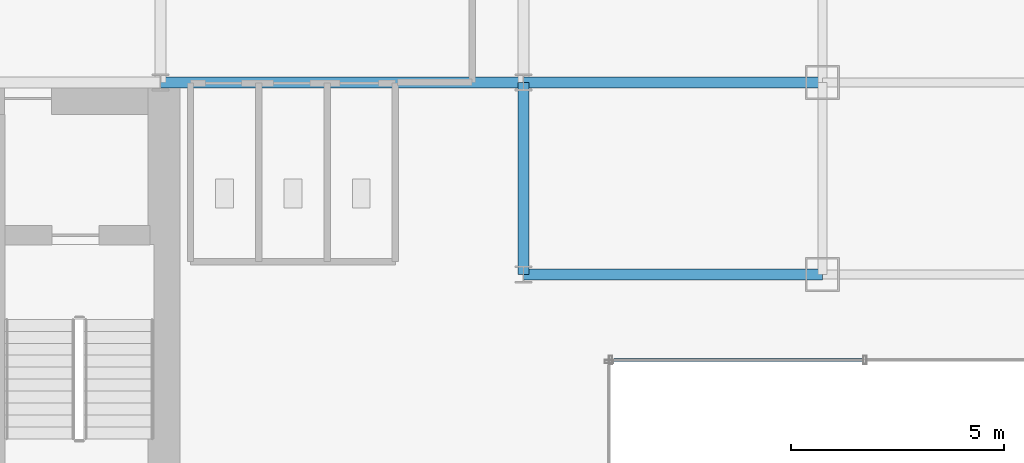
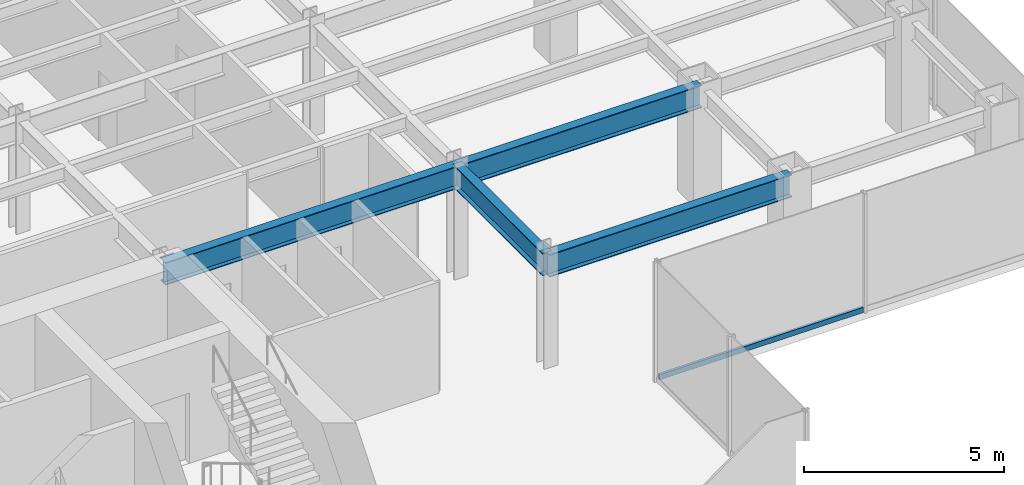
# One storey, part 9 of 26: 4 beams, 1 member, 1 element without a shape of its own.
"""IFC4 building model written with IfcOpenShell, lengths in metres."""

from ifc_helpers import new_model, si_unit, derived_unit, direction, frame, origin, origin_2d, place, context, subcontext, project, spatial, hollow_rectangle, i_section, extrude, source, transform, mapped, material, material_profile, profile_set, type_object, element, aggregate, save


model = new_model("IFC4")

# Units and contexts
model_context = context("Model", 3, precision=1e-05, world=origin(), true_north=direction((0.0, 1.0)))
body_context = subcontext(model_context, "Body", "Model", "MODEL_VIEW")
ifc_project = project(units=[si_unit("LENGTHUNIT", "METRE"), si_unit("AREAUNIT", "SQUARE_METRE"), si_unit("VOLUMEUNIT", "CUBIC_METRE"), si_unit("PLANEANGLEUNIT", "RADIAN"), si_unit("MASSUNIT", "GRAM", prefix="KILO"), derived_unit("THERMALTRANSMITTANCEUNIT", [(si_unit("POWERUNIT", "WATT"), 1), (si_unit("LENGTHUNIT", "METRE"), -2), (si_unit("THERMODYNAMICTEMPERATUREUNIT", "KELVIN"), -1)])], contexts=[model_context])

# Site, building, storey
site_placement = place(None, origin())
site = spatial("IfcSite", under=ifc_project, at=site_placement, CompositionType="ELEMENT")
building_placement = place(site_placement, origin())
building = spatial("IfcBuilding", under=site, at=building_placement, Name="Skarnbrae Concourse Arena and Tower", CompositionType="ELEMENT")
storey_placement = place(building_placement, frame((0.0, 0.0, 121.5)))
storey = spatial("IfcBuildingStorey", under=building, at=storey_placement, Name="L30", CompositionType="ELEMENT", Elevation=121.5)

# Beams
ifc_material_1 = material(Name="Steel CSA G40.21 350W", Category="steel")
ifc_material_profile_1 = material_profile(ifc_material_1, i_section(OverallWidth=0.256103515625, OverallDepth=0.693115234375, WebThickness=0.014404296875, FlangeThickness=0.023681640625, at=origin_2d()), Name="W690X170")
ifc_profile_set_1 = profile_set([ifc_material_profile_1], Name="Steel CSA G40.21 350W")
beam_type = type_object("IfcBeamType", Name="BM-GIRD-W690X170", PredefinedType="BEAM", material=ifc_profile_set_1)
shared_shape_1 = source(origin(), body_context, "Body", "SweptSolid", [
    extrude(i_section(OverallWidth=0.256103515625, OverallDepth=0.693115234375, WebThickness=0.014404296875, FlangeThickness=0.023681640625, at=origin_2d()), origin(), (0.0, 0.0, 1.0), 7.0),
])
for number, where, z_axis, x_axis, name in (
    (1, (42.0, 9.5, 3.053466796875), (1.0, 0.0, 0.0), (0.0, 1.0, 0.0), "L30 Primary E-W girder Y9.5-2"),
    (2, (42.0, 14.0, 3.053466796875), (1.0, 0.0, 0.0), (0.0, 1.0, 0.0), "L30 Primary E-W girder Y14.0-7"),
):
    element("IfcBeam", number, at=place(storey_placement, frame(where, z_axis=z_axis, x_axis=x_axis)), inside=storey, type_object=beam_type, Name=name, PredefinedType="BEAM", context=body_context, shape_type="MappedRepresentation", body=[
        mapped(shared_shape_1, transform((0.0, 0.0, 0.0))),
    ])
shared_shape_2 = source(origin(), body_context, "Body", "SweptSolid", [
    extrude(i_section(OverallWidth=0.256103515625, OverallDepth=0.693115234375, WebThickness=0.014404296875, FlangeThickness=0.023681640625, at=origin_2d()), origin(), (0.0, 0.0, 1.0), 8.5),
])
beam_1_placement = place(storey_placement, frame((33.5, 14.0, 3.053466796875), z_axis=(1.0, 0.0, 0.0), x_axis=(0.0, 1.0, 0.0)))
element("IfcBeam", 3, at=beam_1_placement, inside=storey, type_object=beam_type, Name="L30 Primary E-W girder Y14.0-6", PredefinedType="BEAM", context=body_context, shape_type="MappedRepresentation", body=[
    mapped(shared_shape_2, transform((0.0, 0.0, 0.0))),
])
shared_shape_3 = source(origin(), body_context, "Body", "SweptSolid", [
    extrude(i_section(OverallWidth=0.256103515625, OverallDepth=0.693115234375, WebThickness=0.014404296875, FlangeThickness=0.023681640625, at=origin_2d()), origin(), (0.0, 0.0, 1.0), 4.5),
])
beam_2_placement = place(storey_placement, frame((42.0, 9.5, 3.053466796875), z_axis=(0.0, 1.0, 0.0), x_axis=(-1.0, 0.0, 0.0)))
element("IfcBeam", 4, at=beam_2_placement, inside=storey, type_object=beam_type, Name="L30 Primary N-S girder X42.0-1", PredefinedType="BEAM", context=body_context, shape_type="MappedRepresentation", body=[
    mapped(shared_shape_3, transform((0.0, 0.0, 0.0))),
])

# Curtain wall, member
ifc_material_2 = material(Name="Bronze anodised aluminium 6063-T6", Category="aluminium")
curtain_wall_type = type_object("IfcCurtainWallType", Name="CW-SYS-04-MIDZONE", PredefinedType="USERDEFINED", material=ifc_material_2)
curtain_wall_placement = place(storey_placement, origin())
curtain_wall = element("IfcCurtainWall", 5, at=curtain_wall_placement, inside=storey, type_object=curtain_wall_type, Name="L30 Unitised curtain wall CW-L30-E03", ObjectType="UNITISED CURTAIN WALL", PredefinedType="USERDEFINED")
ifc_material_profile_2 = material_profile(ifc_material_2, hollow_rectangle(XDim=0.074951171875, YDim=0.159912109375, WallThickness=0.00439453125, at=origin_2d()), Name="ALU-TRAN-75X160")
ifc_profile_set_2 = profile_set([ifc_material_profile_2], Name="Bronze anodised aluminium 6063-T6")
member_type = type_object("IfcMemberType", Name="CWT-CW-04", PredefinedType="USERDEFINED", material=ifc_profile_set_2)
shared_shape_4 = source(origin(), body_context, "Body", "SweptSolid", [
    extrude(hollow_rectangle(XDim=0.074951171875, YDim=0.159912109375, WallThickness=0.00439453125, at=origin_2d()), origin(), (0.0, 0.0, 1.0), 5.887451171875),
])
member_placement = place(storey_placement, frame((44.074951171875, 7.5, 0.080078125), z_axis=(1.0, 0.0, 0.0), x_axis=(0.0, 1.0, 0.0)))
member = element("IfcMember", 6, at=member_placement, type_object=member_type, Name="CW-L30-E03 Transom 1", ObjectType="TRANSOM", PredefinedType="USERDEFINED", context=body_context, shape_type="MappedRepresentation", body=[
    mapped(shared_shape_4, transform((0.0, 0.0, 0.0))),
])
aggregate(curtain_wall, [member])

save(model, "model.ifc")
